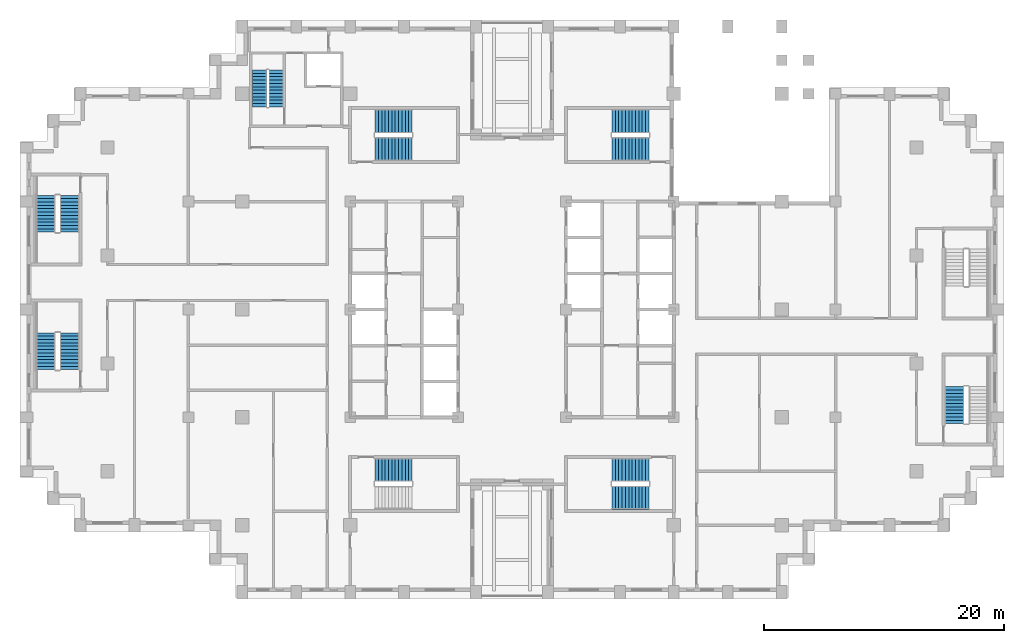
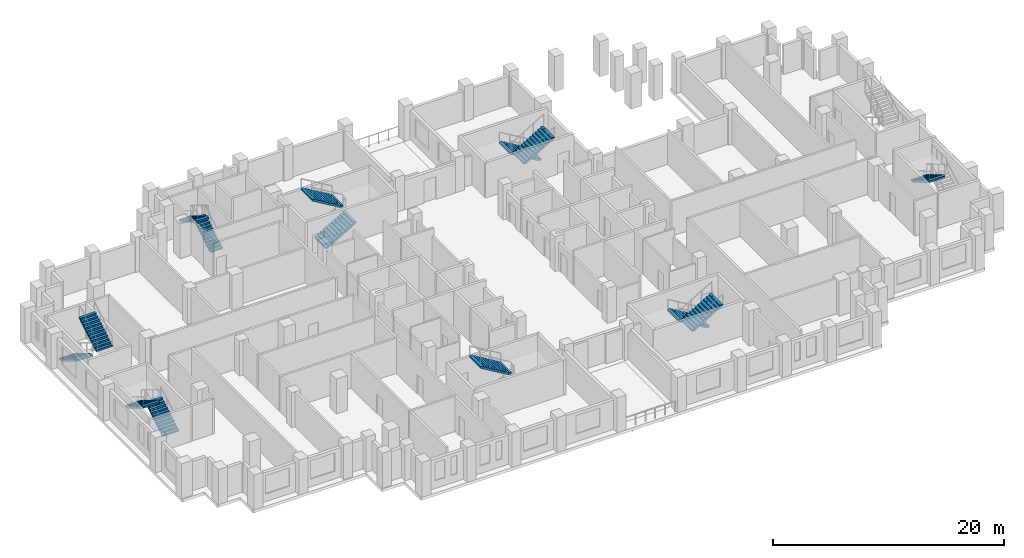
# One storey, part 9 of 12: 14 stair flights, 8 elements without a shape of their own.
"""IFC4 building model written with IfcOpenShell, lengths in metres."""

from ifc_helpers import new_model, si_unit, direction, frame, origin, place, context, subcontext, project, spatial, polyline, outline, extrude, material, type_object, element, aggregate, save


model = new_model("IFC4")

# Units and contexts
model_context = context("Model", 3, precision=1e-05, world=origin(), true_north=direction((0.0, 1.0)))
body_context = subcontext(model_context, "Body", "Model", "MODEL_VIEW")
ifc_project = project(units=[si_unit("LENGTHUNIT", "METRE"), si_unit("AREAUNIT", "SQUARE_METRE"), si_unit("VOLUMEUNIT", "CUBIC_METRE"), si_unit("PLANEANGLEUNIT", "RADIAN"), si_unit("MASSUNIT", "GRAM", prefix="KILO")], contexts=[model_context])

# Site, building, storey
site_placement = place(None, origin())
site = spatial("IfcSite", under=ifc_project, at=site_placement, CompositionType="ELEMENT")
building_placement = place(site_placement, origin())
building = spatial("IfcBuilding", under=site, at=building_placement, Name="Corbelhall Arena Tower", CompositionType="ELEMENT")
storey_placement = place(building_placement, frame((0.0, 0.0, 126.0)))
storey = spatial("IfcBuildingStorey", under=building, at=storey_placement, Name="L23", CompositionType="ELEMENT", Elevation=126.0)

# Stair, stair flights
ifc_material = material(Name="Concrete C40/50", Category="concrete")
stair_type = type_object("IfcStairType", Name="IN-ST-TOWER", PredefinedType="HALF_TURN_STAIR", material=ifc_material)
stair_1_placement = place(storey_placement, origin())
stair_1 = element("IfcStair", 1, at=stair_1_placement, inside=storey, type_object=stair_type, Name="L23 Exit stair ST1", PredefinedType="HALF_TURN_STAIR")
stair_flight_type = type_object("IfcStairFlightType", Name="IN-SFL-RC", PredefinedType="STRAIGHT", material=ifc_material)
stair_flight_1_placement = place(storey_placement, frame((-11.425048828125, 13.39990234375, 0.0), z_axis=(0.0, 0.0, 1.0), x_axis=(1.0, 0.0, 0.0)))
stair_flight_1 = element("IfcStairFlight", 2, at=stair_flight_1_placement, type_object=stair_flight_type, Name="ST1 flight 1", NumberOfRisers=12, NumberOfTreads=11, PredefinedType="STRAIGHT", RiserHeight=0.166666667, TreadLength=0.28, context=body_context, shape_type="SweptSolid", body=[
    extrude(outline(polyline([(0.0, 0.0), (0.0, 0.166748046875), (0.280029296875, 0.166748046875), (0.280029296875, 0.333251953125), (0.56005859375, 0.333251953125), (0.56005859375, 0.5), (0.840087890625, 0.5), (0.840087890625, 0.666748046875), (1.1201171875, 0.666748046875), (1.1201171875, 0.833251953125), (1.39990234375, 0.833251953125), (1.39990234375, 1.0), (1.679931640625, 1.0), (1.679931640625, 1.166748046875), (1.9599609375, 1.166748046875), (1.9599609375, 1.333251953125), (2.239990234375, 1.333251953125), (2.239990234375, 1.5), (2.52001953125, 1.5), (2.52001953125, 1.666748046875), (2.800048828125, 1.666748046875), (2.800048828125, 1.833251953125), (3.080078125, 1.833251953125), (3.080078125, 2.0), (3.080078125, 1.658935546875), (0.29296875, 0.0), (0.0, 0.0)])), frame((0.0, 0.97509765625, 0.0), z_axis=(0.0, -1.0, 0.0), x_axis=(1.0, 0.0, 0.0)), (0.0, 0.0, 1.0), 0.449951171875),
    extrude(outline(polyline([(0.0, 0.0), (0.0, 0.166748046875), (0.280029296875, 0.166748046875), (0.280029296875, 0.333251953125), (0.56005859375, 0.333251953125), (0.56005859375, 0.5), (0.840087890625, 0.5), (0.840087890625, 0.666748046875), (1.1201171875, 0.666748046875), (1.1201171875, 0.833251953125), (1.39990234375, 0.833251953125), (1.39990234375, 1.0), (1.679931640625, 1.0), (1.679931640625, 1.166748046875), (1.9599609375, 1.166748046875), (1.9599609375, 1.333251953125), (2.239990234375, 1.333251953125), (2.239990234375, 1.5), (2.52001953125, 1.5), (2.52001953125, 1.666748046875), (2.800048828125, 1.666748046875), (2.800048828125, 1.833251953125), (3.080078125, 1.833251953125), (3.080078125, 2.0), (3.080078125, 1.658935546875), (0.29296875, 0.0), (0.0, 0.0)])), frame((0.0, 0.52099609375, 0.0), z_axis=(0.0, -1.0, 0.0), x_axis=(1.0, 0.0, 0.0)), (0.0, 0.0, 1.0), 1.0419921875),
    extrude(outline(polyline([(0.0, 0.0), (0.0, 0.166748046875), (0.280029296875, 0.166748046875), (0.280029296875, 0.333251953125), (0.56005859375, 0.333251953125), (0.56005859375, 0.5), (0.840087890625, 0.5), (0.840087890625, 0.666748046875), (1.1201171875, 0.666748046875), (1.1201171875, 0.833251953125), (1.39990234375, 0.833251953125), (1.39990234375, 1.0), (1.679931640625, 1.0), (1.679931640625, 1.166748046875), (1.9599609375, 1.166748046875), (1.9599609375, 1.333251953125), (2.239990234375, 1.333251953125), (2.239990234375, 1.5), (2.52001953125, 1.5), (2.52001953125, 1.666748046875), (2.800048828125, 1.666748046875), (2.800048828125, 1.833251953125), (3.080078125, 1.833251953125), (3.080078125, 2.0), (3.080078125, 1.658935546875), (0.29296875, 0.0), (0.0, 0.0)])), frame((0.0, -0.52490234375, 0.0), z_axis=(0.0, -1.0, 0.0), x_axis=(1.0, 0.0, 0.0)), (0.0, 0.0, 1.0), 0.449951171875),
])
stair_flight_2_placement = place(storey_placement, frame((-8.344970703125, 15.699951171875, 2.0), z_axis=(0.0, 0.0, 1.0), x_axis=(-1.0, 0.0, 0.0)))
stair_flight_2 = element("IfcStairFlight", 3, at=stair_flight_2_placement, type_object=stair_flight_type, Name="ST1 flight 2", NumberOfRisers=12, NumberOfTreads=11, PredefinedType="STRAIGHT", RiserHeight=0.166666667, TreadLength=0.28, context=body_context, shape_type="SweptSolid", body=[
    extrude(outline(polyline([(0.0, 0.0), (0.0, 0.166748046875), (0.280029296875, 0.166748046875), (0.280029296875, 0.333251953125), (0.56005859375, 0.333251953125), (0.56005859375, 0.5), (0.840087890625, 0.5), (0.840087890625, 0.666748046875), (1.1201171875, 0.666748046875), (1.1201171875, 0.833251953125), (1.39990234375, 0.833251953125), (1.39990234375, 1.0), (1.679931640625, 1.0), (1.679931640625, 1.166748046875), (1.9599609375, 1.166748046875), (1.9599609375, 1.333251953125), (2.239990234375, 1.333251953125), (2.239990234375, 1.5), (2.52001953125, 1.5), (2.52001953125, 1.666748046875), (2.800048828125, 1.666748046875), (2.800048828125, 1.833251953125), (3.080078125, 1.833251953125), (3.080078125, 2.0), (3.080078125, 1.658935546875), (0.29296875, 0.0), (0.0, 0.0)])), frame((0.0, 0.97509765625, 0.0), z_axis=(0.0, -1.0, 0.0), x_axis=(1.0, 0.0, 0.0)), (0.0, 0.0, 1.0), 0.449951171875),
    extrude(outline(polyline([(0.0, 0.0), (0.0, 0.166748046875), (0.280029296875, 0.166748046875), (0.280029296875, 0.333251953125), (0.56005859375, 0.333251953125), (0.56005859375, 0.5), (0.840087890625, 0.5), (0.840087890625, 0.666748046875), (1.1201171875, 0.666748046875), (1.1201171875, 0.833251953125), (1.39990234375, 0.833251953125), (1.39990234375, 1.0), (1.679931640625, 1.0), (1.679931640625, 1.166748046875), (1.9599609375, 1.166748046875), (1.9599609375, 1.333251953125), (2.239990234375, 1.333251953125), (2.239990234375, 1.5), (2.52001953125, 1.5), (2.52001953125, 1.666748046875), (2.800048828125, 1.666748046875), (2.800048828125, 1.833251953125), (3.080078125, 1.833251953125), (3.080078125, 2.0), (3.080078125, 1.658935546875), (0.29296875, 0.0), (0.0, 0.0)])), frame((0.0, 0.52099609375, 0.0), z_axis=(0.0, -1.0, 0.0), x_axis=(1.0, 0.0, 0.0)), (0.0, 0.0, 1.0), 1.0419921875),
    extrude(outline(polyline([(0.0, 0.0), (0.0, 0.166748046875), (0.280029296875, 0.166748046875), (0.280029296875, 0.333251953125), (0.56005859375, 0.333251953125), (0.56005859375, 0.5), (0.840087890625, 0.5), (0.840087890625, 0.666748046875), (1.1201171875, 0.666748046875), (1.1201171875, 0.833251953125), (1.39990234375, 0.833251953125), (1.39990234375, 1.0), (1.679931640625, 1.0), (1.679931640625, 1.166748046875), (1.9599609375, 1.166748046875), (1.9599609375, 1.333251953125), (2.239990234375, 1.333251953125), (2.239990234375, 1.5), (2.52001953125, 1.5), (2.52001953125, 1.666748046875), (2.800048828125, 1.666748046875), (2.800048828125, 1.833251953125), (3.080078125, 1.833251953125), (3.080078125, 2.0), (3.080078125, 1.658935546875), (0.29296875, 0.0), (0.0, 0.0)])), frame((0.0, -0.52490234375, 0.0), z_axis=(0.0, -1.0, 0.0), x_axis=(1.0, 0.0, 0.0)), (0.0, 0.0, 1.0), 0.449951171875),
])
aggregate(stair_1, [stair_flight_1, stair_flight_2])

# Stair, stair flight
stair_2_placement = place(storey_placement, origin())
stair_2 = element("IfcStair", 4, at=stair_2_placement, inside=storey, type_object=stair_type, Name="L23 Exit stair ST2", PredefinedType="HALF_TURN_STAIR")
stair_flight_3_placement = place(storey_placement, frame((-8.344970703125, -13.39990234375, 2.0), z_axis=(0.0, 0.0, 1.0), x_axis=(-1.0, 0.0, 0.0)))
stair_flight_3 = element("IfcStairFlight", 5, at=stair_flight_3_placement, type_object=stair_flight_type, Name="ST2 flight 2", NumberOfRisers=12, NumberOfTreads=11, PredefinedType="STRAIGHT", RiserHeight=0.166666667, TreadLength=0.28, context=body_context, shape_type="SweptSolid", body=[
    extrude(outline(polyline([(0.0, 0.0), (0.0, 0.166748046875), (0.280029296875, 0.166748046875), (0.280029296875, 0.333251953125), (0.56005859375, 0.333251953125), (0.56005859375, 0.5), (0.840087890625, 0.5), (0.840087890625, 0.666748046875), (1.1201171875, 0.666748046875), (1.1201171875, 0.833251953125), (1.39990234375, 0.833251953125), (1.39990234375, 1.0), (1.679931640625, 1.0), (1.679931640625, 1.166748046875), (1.9599609375, 1.166748046875), (1.9599609375, 1.333251953125), (2.239990234375, 1.333251953125), (2.239990234375, 1.5), (2.52001953125, 1.5), (2.52001953125, 1.666748046875), (2.800048828125, 1.666748046875), (2.800048828125, 1.833251953125), (3.080078125, 1.833251953125), (3.080078125, 2.0), (3.080078125, 1.658935546875), (0.29296875, 0.0), (0.0, 0.0)])), frame((0.0, 0.97509765625, 0.0), z_axis=(0.0, -1.0, 0.0), x_axis=(1.0, 0.0, 0.0)), (0.0, 0.0, 1.0), 0.449951171875),
    extrude(outline(polyline([(0.0, 0.0), (0.0, 0.166748046875), (0.280029296875, 0.166748046875), (0.280029296875, 0.333251953125), (0.56005859375, 0.333251953125), (0.56005859375, 0.5), (0.840087890625, 0.5), (0.840087890625, 0.666748046875), (1.1201171875, 0.666748046875), (1.1201171875, 0.833251953125), (1.39990234375, 0.833251953125), (1.39990234375, 1.0), (1.679931640625, 1.0), (1.679931640625, 1.166748046875), (1.9599609375, 1.166748046875), (1.9599609375, 1.333251953125), (2.239990234375, 1.333251953125), (2.239990234375, 1.5), (2.52001953125, 1.5), (2.52001953125, 1.666748046875), (2.800048828125, 1.666748046875), (2.800048828125, 1.833251953125), (3.080078125, 1.833251953125), (3.080078125, 2.0), (3.080078125, 1.658935546875), (0.29296875, 0.0), (0.0, 0.0)])), frame((0.0, 0.52099609375, 0.0), z_axis=(0.0, -1.0, 0.0), x_axis=(1.0, 0.0, 0.0)), (0.0, 0.0, 1.0), 1.0419921875),
    extrude(outline(polyline([(0.0, 0.0), (0.0, 0.166748046875), (0.280029296875, 0.166748046875), (0.280029296875, 0.333251953125), (0.56005859375, 0.333251953125), (0.56005859375, 0.5), (0.840087890625, 0.5), (0.840087890625, 0.666748046875), (1.1201171875, 0.666748046875), (1.1201171875, 0.833251953125), (1.39990234375, 0.833251953125), (1.39990234375, 1.0), (1.679931640625, 1.0), (1.679931640625, 1.166748046875), (1.9599609375, 1.166748046875), (1.9599609375, 1.333251953125), (2.239990234375, 1.333251953125), (2.239990234375, 1.5), (2.52001953125, 1.5), (2.52001953125, 1.666748046875), (2.800048828125, 1.666748046875), (2.800048828125, 1.833251953125), (3.080078125, 1.833251953125), (3.080078125, 2.0), (3.080078125, 1.658935546875), (0.29296875, 0.0), (0.0, 0.0)])), frame((0.0, -0.52490234375, 0.0), z_axis=(0.0, -1.0, 0.0), x_axis=(1.0, 0.0, 0.0)), (0.0, 0.0, 1.0), 0.449951171875),
])
aggregate(stair_2, [stair_flight_3])

# Stair, stair flights
stair_3_placement = place(storey_placement, origin())
stair_3 = element("IfcStair", 6, at=stair_3_placement, inside=storey, type_object=stair_type, Name="L23 Exit stair ST3", PredefinedType="HALF_TURN_STAIR")
stair_flight_4_placement = place(storey_placement, frame((11.425048828125, 15.699951171875, 0.0), z_axis=(0.0, 0.0, 1.0), x_axis=(-1.0, 0.0, 0.0)))
stair_flight_4 = element("IfcStairFlight", 7, at=stair_flight_4_placement, type_object=stair_flight_type, Name="ST3 flight 1", NumberOfRisers=12, NumberOfTreads=11, PredefinedType="STRAIGHT", RiserHeight=0.166666667, TreadLength=0.28, context=body_context, shape_type="SweptSolid", body=[
    extrude(outline(polyline([(0.0, 0.0), (0.0, 0.166748046875), (0.280029296875, 0.166748046875), (0.280029296875, 0.333251953125), (0.56005859375, 0.333251953125), (0.56005859375, 0.5), (0.840087890625, 0.5), (0.840087890625, 0.666748046875), (1.1201171875, 0.666748046875), (1.1201171875, 0.833251953125), (1.39990234375, 0.833251953125), (1.39990234375, 1.0), (1.679931640625, 1.0), (1.679931640625, 1.166748046875), (1.9599609375, 1.166748046875), (1.9599609375, 1.333251953125), (2.239990234375, 1.333251953125), (2.239990234375, 1.5), (2.52001953125, 1.5), (2.52001953125, 1.666748046875), (2.800048828125, 1.666748046875), (2.800048828125, 1.833251953125), (3.080078125, 1.833251953125), (3.080078125, 2.0), (3.080078125, 1.658935546875), (0.29296875, 0.0), (0.0, 0.0)])), frame((0.0, 0.97509765625, 0.0), z_axis=(0.0, -1.0, 0.0), x_axis=(1.0, 0.0, 0.0)), (0.0, 0.0, 1.0), 0.449951171875),
    extrude(outline(polyline([(0.0, 0.0), (0.0, 0.166748046875), (0.280029296875, 0.166748046875), (0.280029296875, 0.333251953125), (0.56005859375, 0.333251953125), (0.56005859375, 0.5), (0.840087890625, 0.5), (0.840087890625, 0.666748046875), (1.1201171875, 0.666748046875), (1.1201171875, 0.833251953125), (1.39990234375, 0.833251953125), (1.39990234375, 1.0), (1.679931640625, 1.0), (1.679931640625, 1.166748046875), (1.9599609375, 1.166748046875), (1.9599609375, 1.333251953125), (2.239990234375, 1.333251953125), (2.239990234375, 1.5), (2.52001953125, 1.5), (2.52001953125, 1.666748046875), (2.800048828125, 1.666748046875), (2.800048828125, 1.833251953125), (3.080078125, 1.833251953125), (3.080078125, 2.0), (3.080078125, 1.658935546875), (0.29296875, 0.0), (0.0, 0.0)])), frame((0.0, 0.52099609375, 0.0), z_axis=(0.0, -1.0, 0.0), x_axis=(1.0, 0.0, 0.0)), (0.0, 0.0, 1.0), 1.0419921875),
    extrude(outline(polyline([(0.0, 0.0), (0.0, 0.166748046875), (0.280029296875, 0.166748046875), (0.280029296875, 0.333251953125), (0.56005859375, 0.333251953125), (0.56005859375, 0.5), (0.840087890625, 0.5), (0.840087890625, 0.666748046875), (1.1201171875, 0.666748046875), (1.1201171875, 0.833251953125), (1.39990234375, 0.833251953125), (1.39990234375, 1.0), (1.679931640625, 1.0), (1.679931640625, 1.166748046875), (1.9599609375, 1.166748046875), (1.9599609375, 1.333251953125), (2.239990234375, 1.333251953125), (2.239990234375, 1.5), (2.52001953125, 1.5), (2.52001953125, 1.666748046875), (2.800048828125, 1.666748046875), (2.800048828125, 1.833251953125), (3.080078125, 1.833251953125), (3.080078125, 2.0), (3.080078125, 1.658935546875), (0.29296875, 0.0), (0.0, 0.0)])), frame((0.0, -0.52490234375, 0.0), z_axis=(0.0, -1.0, 0.0), x_axis=(1.0, 0.0, 0.0)), (0.0, 0.0, 1.0), 0.449951171875),
])
stair_flight_5_placement = place(storey_placement, frame((8.344970703125, 13.39990234375, 2.0), z_axis=(0.0, 0.0, 1.0), x_axis=(1.0, 0.0, 0.0)))
stair_flight_5 = element("IfcStairFlight", 8, at=stair_flight_5_placement, type_object=stair_flight_type, Name="ST3 flight 2", NumberOfRisers=12, NumberOfTreads=11, PredefinedType="STRAIGHT", RiserHeight=0.166666667, TreadLength=0.28, context=body_context, shape_type="SweptSolid", body=[
    extrude(outline(polyline([(0.0, 0.0), (0.0, 0.166748046875), (0.280029296875, 0.166748046875), (0.280029296875, 0.333251953125), (0.56005859375, 0.333251953125), (0.56005859375, 0.5), (0.840087890625, 0.5), (0.840087890625, 0.666748046875), (1.1201171875, 0.666748046875), (1.1201171875, 0.833251953125), (1.39990234375, 0.833251953125), (1.39990234375, 1.0), (1.679931640625, 1.0), (1.679931640625, 1.166748046875), (1.9599609375, 1.166748046875), (1.9599609375, 1.333251953125), (2.239990234375, 1.333251953125), (2.239990234375, 1.5), (2.52001953125, 1.5), (2.52001953125, 1.666748046875), (2.800048828125, 1.666748046875), (2.800048828125, 1.833251953125), (3.080078125, 1.833251953125), (3.080078125, 2.0), (3.080078125, 1.658935546875), (0.29296875, 0.0), (0.0, 0.0)])), frame((0.0, 0.97509765625, 0.0), z_axis=(0.0, -1.0, 0.0), x_axis=(1.0, 0.0, 0.0)), (0.0, 0.0, 1.0), 0.449951171875),
    extrude(outline(polyline([(0.0, 0.0), (0.0, 0.166748046875), (0.280029296875, 0.166748046875), (0.280029296875, 0.333251953125), (0.56005859375, 0.333251953125), (0.56005859375, 0.5), (0.840087890625, 0.5), (0.840087890625, 0.666748046875), (1.1201171875, 0.666748046875), (1.1201171875, 0.833251953125), (1.39990234375, 0.833251953125), (1.39990234375, 1.0), (1.679931640625, 1.0), (1.679931640625, 1.166748046875), (1.9599609375, 1.166748046875), (1.9599609375, 1.333251953125), (2.239990234375, 1.333251953125), (2.239990234375, 1.5), (2.52001953125, 1.5), (2.52001953125, 1.666748046875), (2.800048828125, 1.666748046875), (2.800048828125, 1.833251953125), (3.080078125, 1.833251953125), (3.080078125, 2.0), (3.080078125, 1.658935546875), (0.29296875, 0.0), (0.0, 0.0)])), frame((0.0, 0.52099609375, 0.0), z_axis=(0.0, -1.0, 0.0), x_axis=(1.0, 0.0, 0.0)), (0.0, 0.0, 1.0), 1.0419921875),
    extrude(outline(polyline([(0.0, 0.0), (0.0, 0.166748046875), (0.280029296875, 0.166748046875), (0.280029296875, 0.333251953125), (0.56005859375, 0.333251953125), (0.56005859375, 0.5), (0.840087890625, 0.5), (0.840087890625, 0.666748046875), (1.1201171875, 0.666748046875), (1.1201171875, 0.833251953125), (1.39990234375, 0.833251953125), (1.39990234375, 1.0), (1.679931640625, 1.0), (1.679931640625, 1.166748046875), (1.9599609375, 1.166748046875), (1.9599609375, 1.333251953125), (2.239990234375, 1.333251953125), (2.239990234375, 1.5), (2.52001953125, 1.5), (2.52001953125, 1.666748046875), (2.800048828125, 1.666748046875), (2.800048828125, 1.833251953125), (3.080078125, 1.833251953125), (3.080078125, 2.0), (3.080078125, 1.658935546875), (0.29296875, 0.0), (0.0, 0.0)])), frame((0.0, -0.52490234375, 0.0), z_axis=(0.0, -1.0, 0.0), x_axis=(1.0, 0.0, 0.0)), (0.0, 0.0, 1.0), 0.449951171875),
])
aggregate(stair_3, [stair_flight_4, stair_flight_5])

stair_4_placement = place(storey_placement, origin())
stair_4 = element("IfcStair", 9, at=stair_4_placement, inside=storey, type_object=stair_type, Name="L23 Exit stair ST4", PredefinedType="HALF_TURN_STAIR")
stair_flight_6_placement = place(storey_placement, frame((11.425048828125, -13.39990234375, 0.0), z_axis=(0.0, 0.0, 1.0), x_axis=(-1.0, 0.0, 0.0)))
stair_flight_6 = element("IfcStairFlight", 10, at=stair_flight_6_placement, type_object=stair_flight_type, Name="ST4 flight 1", NumberOfRisers=12, NumberOfTreads=11, PredefinedType="STRAIGHT", RiserHeight=0.166666667, TreadLength=0.28, context=body_context, shape_type="SweptSolid", body=[
    extrude(outline(polyline([(0.0, 0.0), (0.0, 0.166748046875), (0.280029296875, 0.166748046875), (0.280029296875, 0.333251953125), (0.56005859375, 0.333251953125), (0.56005859375, 0.5), (0.840087890625, 0.5), (0.840087890625, 0.666748046875), (1.1201171875, 0.666748046875), (1.1201171875, 0.833251953125), (1.39990234375, 0.833251953125), (1.39990234375, 1.0), (1.679931640625, 1.0), (1.679931640625, 1.166748046875), (1.9599609375, 1.166748046875), (1.9599609375, 1.333251953125), (2.239990234375, 1.333251953125), (2.239990234375, 1.5), (2.52001953125, 1.5), (2.52001953125, 1.666748046875), (2.800048828125, 1.666748046875), (2.800048828125, 1.833251953125), (3.080078125, 1.833251953125), (3.080078125, 2.0), (3.080078125, 1.658935546875), (0.29296875, 0.0), (0.0, 0.0)])), frame((0.0, 0.97509765625, 0.0), z_axis=(0.0, -1.0, 0.0), x_axis=(1.0, 0.0, 0.0)), (0.0, 0.0, 1.0), 0.449951171875),
    extrude(outline(polyline([(0.0, 0.0), (0.0, 0.166748046875), (0.280029296875, 0.166748046875), (0.280029296875, 0.333251953125), (0.56005859375, 0.333251953125), (0.56005859375, 0.5), (0.840087890625, 0.5), (0.840087890625, 0.666748046875), (1.1201171875, 0.666748046875), (1.1201171875, 0.833251953125), (1.39990234375, 0.833251953125), (1.39990234375, 1.0), (1.679931640625, 1.0), (1.679931640625, 1.166748046875), (1.9599609375, 1.166748046875), (1.9599609375, 1.333251953125), (2.239990234375, 1.333251953125), (2.239990234375, 1.5), (2.52001953125, 1.5), (2.52001953125, 1.666748046875), (2.800048828125, 1.666748046875), (2.800048828125, 1.833251953125), (3.080078125, 1.833251953125), (3.080078125, 2.0), (3.080078125, 1.658935546875), (0.29296875, 0.0), (0.0, 0.0)])), frame((0.0, 0.52099609375, 0.0), z_axis=(0.0, -1.0, 0.0), x_axis=(1.0, 0.0, 0.0)), (0.0, 0.0, 1.0), 1.0419921875),
    extrude(outline(polyline([(0.0, 0.0), (0.0, 0.166748046875), (0.280029296875, 0.166748046875), (0.280029296875, 0.333251953125), (0.56005859375, 0.333251953125), (0.56005859375, 0.5), (0.840087890625, 0.5), (0.840087890625, 0.666748046875), (1.1201171875, 0.666748046875), (1.1201171875, 0.833251953125), (1.39990234375, 0.833251953125), (1.39990234375, 1.0), (1.679931640625, 1.0), (1.679931640625, 1.166748046875), (1.9599609375, 1.166748046875), (1.9599609375, 1.333251953125), (2.239990234375, 1.333251953125), (2.239990234375, 1.5), (2.52001953125, 1.5), (2.52001953125, 1.666748046875), (2.800048828125, 1.666748046875), (2.800048828125, 1.833251953125), (3.080078125, 1.833251953125), (3.080078125, 2.0), (3.080078125, 1.658935546875), (0.29296875, 0.0), (0.0, 0.0)])), frame((0.0, -0.52490234375, 0.0), z_axis=(0.0, -1.0, 0.0), x_axis=(1.0, 0.0, 0.0)), (0.0, 0.0, 1.0), 0.449951171875),
])
stair_flight_7_placement = place(storey_placement, frame((8.344970703125, -15.699951171875, 2.0), z_axis=(0.0, 0.0, 1.0), x_axis=(1.0, 0.0, 0.0)))
stair_flight_7 = element("IfcStairFlight", 11, at=stair_flight_7_placement, type_object=stair_flight_type, Name="ST4 flight 2", NumberOfRisers=12, NumberOfTreads=11, PredefinedType="STRAIGHT", RiserHeight=0.166666667, TreadLength=0.28, context=body_context, shape_type="SweptSolid", body=[
    extrude(outline(polyline([(0.0, 0.0), (0.0, 0.166748046875), (0.280029296875, 0.166748046875), (0.280029296875, 0.333251953125), (0.56005859375, 0.333251953125), (0.56005859375, 0.5), (0.840087890625, 0.5), (0.840087890625, 0.666748046875), (1.1201171875, 0.666748046875), (1.1201171875, 0.833251953125), (1.39990234375, 0.833251953125), (1.39990234375, 1.0), (1.679931640625, 1.0), (1.679931640625, 1.166748046875), (1.9599609375, 1.166748046875), (1.9599609375, 1.333251953125), (2.239990234375, 1.333251953125), (2.239990234375, 1.5), (2.52001953125, 1.5), (2.52001953125, 1.666748046875), (2.800048828125, 1.666748046875), (2.800048828125, 1.833251953125), (3.080078125, 1.833251953125), (3.080078125, 2.0), (3.080078125, 1.658935546875), (0.29296875, 0.0), (0.0, 0.0)])), frame((0.0, 0.97509765625, 0.0), z_axis=(0.0, -1.0, 0.0), x_axis=(1.0, 0.0, 0.0)), (0.0, 0.0, 1.0), 0.449951171875),
    extrude(outline(polyline([(0.0, 0.0), (0.0, 0.166748046875), (0.280029296875, 0.166748046875), (0.280029296875, 0.333251953125), (0.56005859375, 0.333251953125), (0.56005859375, 0.5), (0.840087890625, 0.5), (0.840087890625, 0.666748046875), (1.1201171875, 0.666748046875), (1.1201171875, 0.833251953125), (1.39990234375, 0.833251953125), (1.39990234375, 1.0), (1.679931640625, 1.0), (1.679931640625, 1.166748046875), (1.9599609375, 1.166748046875), (1.9599609375, 1.333251953125), (2.239990234375, 1.333251953125), (2.239990234375, 1.5), (2.52001953125, 1.5), (2.52001953125, 1.666748046875), (2.800048828125, 1.666748046875), (2.800048828125, 1.833251953125), (3.080078125, 1.833251953125), (3.080078125, 2.0), (3.080078125, 1.658935546875), (0.29296875, 0.0), (0.0, 0.0)])), frame((0.0, 0.52099609375, 0.0), z_axis=(0.0, -1.0, 0.0), x_axis=(1.0, 0.0, 0.0)), (0.0, 0.0, 1.0), 1.0419921875),
    extrude(outline(polyline([(0.0, 0.0), (0.0, 0.166748046875), (0.280029296875, 0.166748046875), (0.280029296875, 0.333251953125), (0.56005859375, 0.333251953125), (0.56005859375, 0.5), (0.840087890625, 0.5), (0.840087890625, 0.666748046875), (1.1201171875, 0.666748046875), (1.1201171875, 0.833251953125), (1.39990234375, 0.833251953125), (1.39990234375, 1.0), (1.679931640625, 1.0), (1.679931640625, 1.166748046875), (1.9599609375, 1.166748046875), (1.9599609375, 1.333251953125), (2.239990234375, 1.333251953125), (2.239990234375, 1.5), (2.52001953125, 1.5), (2.52001953125, 1.666748046875), (2.800048828125, 1.666748046875), (2.800048828125, 1.833251953125), (3.080078125, 1.833251953125), (3.080078125, 2.0), (3.080078125, 1.658935546875), (0.29296875, 0.0), (0.0, 0.0)])), frame((0.0, -0.52490234375, 0.0), z_axis=(0.0, -1.0, 0.0), x_axis=(1.0, 0.0, 0.0)), (0.0, 0.0, 1.0), 0.449951171875),
])
aggregate(stair_4, [stair_flight_6, stair_flight_7])

stair_5_placement = place(storey_placement, origin())
stair_5 = element("IfcStair", 12, at=stair_5_placement, inside=storey, type_object=stair_type, Name="L23 Exit stair SC1", PredefinedType="HALF_TURN_STAIR")
stair_flight_8_placement = place(storey_placement, frame((-38.89990234375, 9.52490234375, 0.0), z_axis=(0.0, 0.0, 1.0), x_axis=(0.0, -1.0, 0.0)))
stair_flight_8 = element("IfcStairFlight", 13, at=stair_flight_8_placement, type_object=stair_flight_type, Name="SC1 flight 1", NumberOfRisers=12, NumberOfTreads=11, PredefinedType="STRAIGHT", RiserHeight=0.166666667, TreadLength=0.28, context=body_context, shape_type="SweptSolid", body=[
    extrude(outline(polyline([(0.0, 0.0), (0.0, 0.166748046875), (0.280029296875, 0.166748046875), (0.280029296875, 0.333251953125), (0.56005859375, 0.333251953125), (0.56005859375, 0.5), (0.840087890625, 0.5), (0.840087890625, 0.666748046875), (1.1201171875, 0.666748046875), (1.1201171875, 0.833251953125), (1.39990234375, 0.833251953125), (1.39990234375, 1.0), (1.679931640625, 1.0), (1.679931640625, 1.166748046875), (1.9599609375, 1.166748046875), (1.9599609375, 1.333251953125), (2.239990234375, 1.333251953125), (2.239990234375, 1.5), (2.52001953125, 1.5), (2.52001953125, 1.666748046875), (2.800048828125, 1.666748046875), (2.800048828125, 1.833251953125), (3.080078125, 1.833251953125), (3.080078125, 2.0), (3.080078125, 1.658935546875), (0.29296875, 0.0), (0.0, 0.0)])), frame((0.0, 0.800048828125, 0.0), z_axis=(0.0, -1.0, 0.0), x_axis=(1.0, 0.0, 0.0)), (0.0, 0.0, 1.0), 1.60009765625),
])
stair_flight_9_placement = place(storey_placement, frame((-36.925048828125, 6.445068359375, 2.0), z_axis=(0.0, 0.0, 1.0), x_axis=(0.0, 1.0, 0.0)))
stair_flight_9 = element("IfcStairFlight", 14, at=stair_flight_9_placement, type_object=stair_flight_type, Name="SC1 flight 2", NumberOfRisers=12, NumberOfTreads=11, PredefinedType="STRAIGHT", RiserHeight=0.166666667, TreadLength=0.28, context=body_context, shape_type="SweptSolid", body=[
    extrude(outline(polyline([(0.0, 0.0), (0.0, 0.166748046875), (0.280029296875, 0.166748046875), (0.280029296875, 0.333251953125), (0.56005859375, 0.333251953125), (0.56005859375, 0.5), (0.840087890625, 0.5), (0.840087890625, 0.666748046875), (1.1201171875, 0.666748046875), (1.1201171875, 0.833251953125), (1.39990234375, 0.833251953125), (1.39990234375, 1.0), (1.679931640625, 1.0), (1.679931640625, 1.166748046875), (1.9599609375, 1.166748046875), (1.9599609375, 1.333251953125), (2.239990234375, 1.333251953125), (2.239990234375, 1.5), (2.52001953125, 1.5), (2.52001953125, 1.666748046875), (2.800048828125, 1.666748046875), (2.800048828125, 1.833251953125), (3.080078125, 1.833251953125), (3.080078125, 2.0), (3.080078125, 1.658935546875), (0.29296875, 0.0), (0.0, 0.0)])), frame((0.0, 0.800048828125, 0.0), z_axis=(0.0, -1.0, 0.0), x_axis=(1.0, 0.0, 0.0)), (0.0, 0.0, 1.0), 1.60009765625),
])
aggregate(stair_5, [stair_flight_8, stair_flight_9])

stair_6_placement = place(storey_placement, origin())
stair_6 = element("IfcStair", 15, at=stair_6_placement, inside=storey, type_object=stair_type, Name="L23 Exit stair SC2", PredefinedType="HALF_TURN_STAIR")
stair_flight_10_placement = place(storey_placement, frame((-36.925048828125, -5.02490234375, 0.0), z_axis=(0.0, 0.0, 1.0), x_axis=(0.0, 1.0, 0.0)))
stair_flight_10 = element("IfcStairFlight", 16, at=stair_flight_10_placement, type_object=stair_flight_type, Name="SC2 flight 1", NumberOfRisers=12, NumberOfTreads=11, PredefinedType="STRAIGHT", RiserHeight=0.166666667, TreadLength=0.28, context=body_context, shape_type="SweptSolid", body=[
    extrude(outline(polyline([(0.0, 0.0), (0.0, 0.166748046875), (0.280029296875, 0.166748046875), (0.280029296875, 0.333251953125), (0.56005859375, 0.333251953125), (0.56005859375, 0.5), (0.840087890625, 0.5), (0.840087890625, 0.666748046875), (1.1201171875, 0.666748046875), (1.1201171875, 0.833251953125), (1.39990234375, 0.833251953125), (1.39990234375, 1.0), (1.679931640625, 1.0), (1.679931640625, 1.166748046875), (1.9599609375, 1.166748046875), (1.9599609375, 1.333251953125), (2.239990234375, 1.333251953125), (2.239990234375, 1.5), (2.52001953125, 1.5), (2.52001953125, 1.666748046875), (2.800048828125, 1.666748046875), (2.800048828125, 1.833251953125), (3.080078125, 1.833251953125), (3.080078125, 2.0), (3.080078125, 1.658935546875), (0.29296875, 0.0), (0.0, 0.0)])), frame((0.0, 0.800048828125, 0.0), z_axis=(0.0, -1.0, 0.0), x_axis=(1.0, 0.0, 0.0)), (0.0, 0.0, 1.0), 1.60009765625),
])
stair_flight_11_placement = place(storey_placement, frame((-38.89990234375, -1.945068359375, 2.0), z_axis=(0.0, 0.0, 1.0), x_axis=(0.0, -1.0, 0.0)))
stair_flight_11 = element("IfcStairFlight", 17, at=stair_flight_11_placement, type_object=stair_flight_type, Name="SC2 flight 2", NumberOfRisers=12, NumberOfTreads=11, PredefinedType="STRAIGHT", RiserHeight=0.166666667, TreadLength=0.28, context=body_context, shape_type="SweptSolid", body=[
    extrude(outline(polyline([(0.0, 0.0), (0.0, 0.166748046875), (0.280029296875, 0.166748046875), (0.280029296875, 0.333251953125), (0.56005859375, 0.333251953125), (0.56005859375, 0.5), (0.840087890625, 0.5), (0.840087890625, 0.666748046875), (1.1201171875, 0.666748046875), (1.1201171875, 0.833251953125), (1.39990234375, 0.833251953125), (1.39990234375, 1.0), (1.679931640625, 1.0), (1.679931640625, 1.166748046875), (1.9599609375, 1.166748046875), (1.9599609375, 1.333251953125), (2.239990234375, 1.333251953125), (2.239990234375, 1.5), (2.52001953125, 1.5), (2.52001953125, 1.666748046875), (2.800048828125, 1.666748046875), (2.800048828125, 1.833251953125), (3.080078125, 1.833251953125), (3.080078125, 2.0), (3.080078125, 1.658935546875), (0.29296875, 0.0), (0.0, 0.0)])), frame((0.0, 0.800048828125, 0.0), z_axis=(0.0, -1.0, 0.0), x_axis=(1.0, 0.0, 0.0)), (0.0, 0.0, 1.0), 1.60009765625),
])
aggregate(stair_6, [stair_flight_10, stair_flight_11])

# Stair, stair flight
stair_7_placement = place(storey_placement, origin())
stair_7 = element("IfcStair", 18, at=stair_7_placement, inside=storey, type_object=stair_type, Name="L23 Exit stair SD1", PredefinedType="HALF_TURN_STAIR")
stair_flight_12_placement = place(storey_placement, frame((36.925048828125, -6.445068359375, 2.0), z_axis=(0.0, 0.0, 1.0), x_axis=(0.0, -1.0, 0.0)))
stair_flight_12 = element("IfcStairFlight", 19, at=stair_flight_12_placement, type_object=stair_flight_type, Name="SD1 flight 2", NumberOfRisers=12, NumberOfTreads=11, PredefinedType="STRAIGHT", RiserHeight=0.166666667, TreadLength=0.28, context=body_context, shape_type="SweptSolid", body=[
    extrude(outline(polyline([(0.0, 0.0), (0.0, 0.166748046875), (0.280029296875, 0.166748046875), (0.280029296875, 0.333251953125), (0.56005859375, 0.333251953125), (0.56005859375, 0.5), (0.840087890625, 0.5), (0.840087890625, 0.666748046875), (1.1201171875, 0.666748046875), (1.1201171875, 0.833251953125), (1.39990234375, 0.833251953125), (1.39990234375, 1.0), (1.679931640625, 1.0), (1.679931640625, 1.166748046875), (1.9599609375, 1.166748046875), (1.9599609375, 1.333251953125), (2.239990234375, 1.333251953125), (2.239990234375, 1.5), (2.52001953125, 1.5), (2.52001953125, 1.666748046875), (2.800048828125, 1.666748046875), (2.800048828125, 1.833251953125), (3.080078125, 1.833251953125), (3.080078125, 2.0), (3.080078125, 1.658935546875), (0.29296875, 0.0), (0.0, 0.0)])), frame((0.0, 0.800048828125, 0.0), z_axis=(0.0, -1.0, 0.0), x_axis=(1.0, 0.0, 0.0)), (0.0, 0.0, 1.0), 1.60009765625),
])
aggregate(stair_7, [stair_flight_12])

# Stair, stair flights
stair_8_placement = place(storey_placement, origin())
stair_8 = element("IfcStair", 20, at=stair_8_placement, inside=storey, type_object=stair_type, Name="L23 Exit stair ST5", PredefinedType="HALF_TURN_STAIR")
stair_flight_13_placement = place(storey_placement, frame((-19.695068359375, 16.89990234375, 0.0), z_axis=(0.0, 0.0, 1.0), x_axis=(0.0, 1.0, 0.0)))
stair_flight_13 = element("IfcStairFlight", 21, at=stair_flight_13_placement, type_object=stair_flight_type, Name="ST5 flight 1", NumberOfRisers=12, NumberOfTreads=11, PredefinedType="STRAIGHT", RiserHeight=0.166666667, TreadLength=0.28, context=body_context, shape_type="SweptSolid", body=[
    extrude(outline(polyline([(0.0, 0.0), (0.0, 0.166748046875), (0.280029296875, 0.166748046875), (0.280029296875, 0.333251953125), (0.56005859375, 0.333251953125), (0.56005859375, 0.5), (0.840087890625, 0.5), (0.840087890625, 0.666748046875), (1.1201171875, 0.666748046875), (1.1201171875, 0.833251953125), (1.39990234375, 0.833251953125), (1.39990234375, 1.0), (1.679931640625, 1.0), (1.679931640625, 1.166748046875), (1.9599609375, 1.166748046875), (1.9599609375, 1.333251953125), (2.239990234375, 1.333251953125), (2.239990234375, 1.5), (2.52001953125, 1.5), (2.52001953125, 1.666748046875), (2.800048828125, 1.666748046875), (2.800048828125, 1.833251953125), (3.080078125, 1.833251953125), (3.080078125, 2.0), (3.080078125, 1.658935546875), (0.29296875, 0.0), (0.0, 0.0)])), frame((0.0, 0.60009765625, 0.0), z_axis=(0.0, -1.0, 0.0), x_axis=(1.0, 0.0, 0.0)), (0.0, 0.0, 1.0), 1.199951171875),
])
stair_flight_14_placement = place(storey_placement, frame((-21.094970703125, 19.97998046875, 2.0), z_axis=(0.0, 0.0, 1.0), x_axis=(0.0, -1.0, 0.0)))
stair_flight_14 = element("IfcStairFlight", 22, at=stair_flight_14_placement, type_object=stair_flight_type, Name="ST5 flight 2", NumberOfRisers=12, NumberOfTreads=11, PredefinedType="STRAIGHT", RiserHeight=0.166666667, TreadLength=0.28, context=body_context, shape_type="SweptSolid", body=[
    extrude(outline(polyline([(0.0, 0.0), (0.0, 0.166748046875), (0.280029296875, 0.166748046875), (0.280029296875, 0.333251953125), (0.56005859375, 0.333251953125), (0.56005859375, 0.5), (0.840087890625, 0.5), (0.840087890625, 0.666748046875), (1.1201171875, 0.666748046875), (1.1201171875, 0.833251953125), (1.39990234375, 0.833251953125), (1.39990234375, 1.0), (1.679931640625, 1.0), (1.679931640625, 1.166748046875), (1.9599609375, 1.166748046875), (1.9599609375, 1.333251953125), (2.239990234375, 1.333251953125), (2.239990234375, 1.5), (2.52001953125, 1.5), (2.52001953125, 1.666748046875), (2.800048828125, 1.666748046875), (2.800048828125, 1.833251953125), (3.080078125, 1.833251953125), (3.080078125, 2.0), (3.080078125, 1.658935546875), (0.29296875, 0.0), (0.0, 0.0)])), frame((0.0, 0.60009765625, 0.0), z_axis=(0.0, -1.0, 0.0), x_axis=(1.0, 0.0, 0.0)), (0.0, 0.0, 1.0), 1.199951171875),
])
aggregate(stair_8, [stair_flight_13, stair_flight_14])

save(model, "model.ifc")
